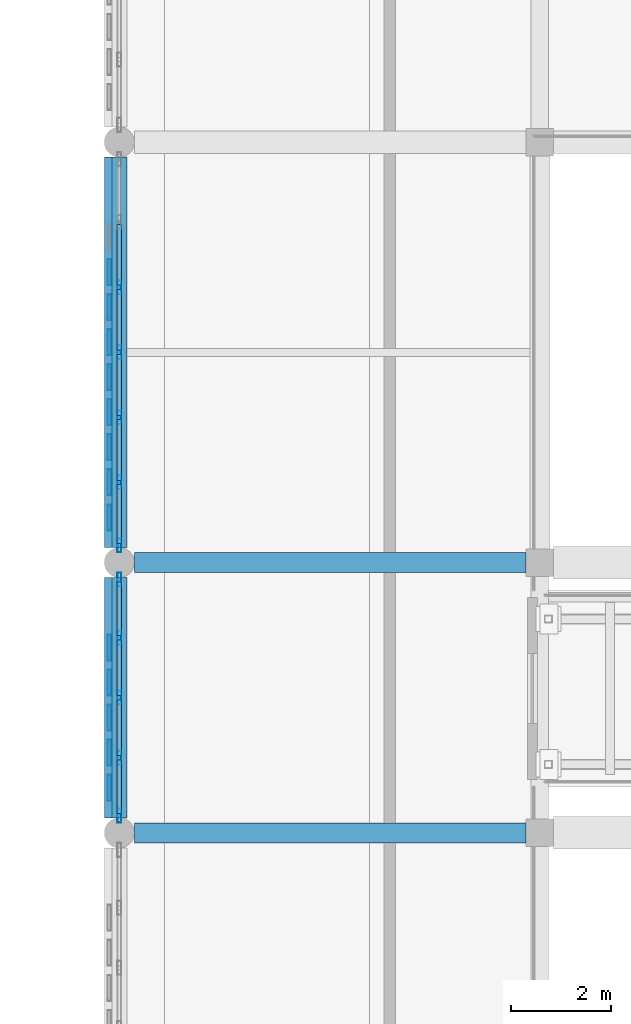
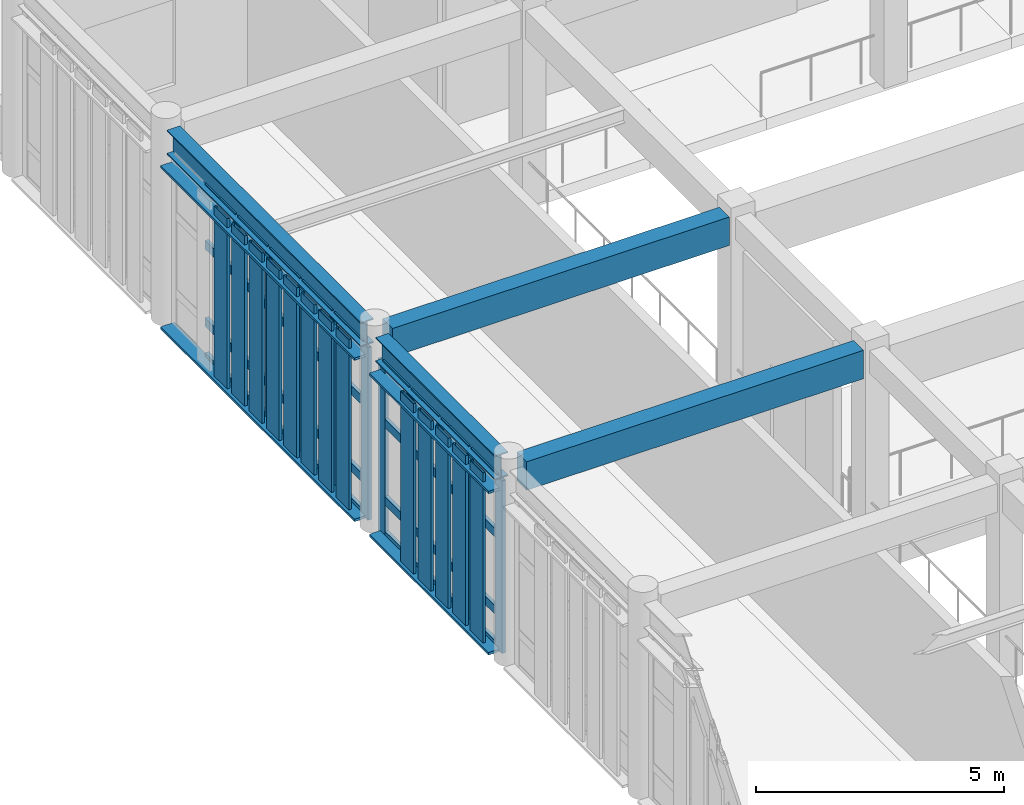
# One storey, part 25 of 77: 63 members, 4 beams, 2 elements without a shape of their own.
"""IFC4 building model written with IfcOpenShell, lengths in metres."""

from ifc_helpers import new_model, si_unit, direction, frame, origin, origin_2d, place, context, subcontext, project, spatial, rectangle, hollow_rectangle, i_section, extrude, material, layer, layer_set, material_profile, profile_set, type_object, element, aggregate, save


model = new_model("IFC4")

# Units and contexts
model_context = context("Model", 3, precision=1e-05, world=origin(), true_north=direction((0.0, 1.0)))
body_context = subcontext(model_context, "Body", "Model", "MODEL_VIEW")
ifc_project = project(units=[si_unit("LENGTHUNIT", "METRE"), si_unit("AREAUNIT", "SQUARE_METRE"), si_unit("VOLUMEUNIT", "CUBIC_METRE"), si_unit("PLANEANGLEUNIT", "RADIAN"), si_unit("MASSUNIT", "GRAM", prefix="KILO")], contexts=[model_context])

# Site, building, storey
site_placement = place(None, origin())
site = spatial("IfcSite", under=ifc_project, at=site_placement, CompositionType="ELEMENT")
building_placement = place(site_placement, origin())
building = spatial("IfcBuilding", under=site, at=building_placement, Name="Krzemoval Escarpment Law Courts", CompositionType="ELEMENT")
storey_placement = place(building_placement, frame((0.0, 0.0, 15.300048828125)))
storey = spatial("IfcBuildingStorey", under=building, at=storey_placement, Name="L03", CompositionType="ELEMENT", Elevation=15.300048828125)

# Beams
ifc_material_1 = material(Name="Concrete C40/50", Category="concrete")
ifc_material_profile_1 = material_profile(ifc_material_1, rectangle(XDim=0.39990234375, YDim=0.699951171875, at=origin_2d()), Name="RCB 400x700")
ifc_profile_set_1 = profile_set([ifc_material_profile_1], Name="Concrete C40/50")
beam_type_1 = type_object("IfcBeamType", Name="BM-RC-400x700", PredefinedType="BEAM", material=ifc_profile_set_1)
for number, where, z_axis, x_axis, name in (
    (1, (8.699951171875, 79.800048828125, 4.489990234375), (1.0, 0.0, 0.0), (0.0, 1.0, 0.0), "Beam FG-L03-2168"),
    (2, (8.699951171875, 85.199951171875, 4.489990234375), (1.0, 0.0, 0.0), (0.0, 1.0, 0.0), "Beam FG-L03-2173"),
):
    element("IfcBeam", number, at=place(storey_placement, frame(where, z_axis=z_axis, x_axis=x_axis)), inside=storey, type_object=beam_type_1, Name=name, PredefinedType="BEAM", context=body_context, shape_type="SweptSolid", body=[
        extrude(rectangle(XDim=0.39990234375, YDim=0.699951171875, at=origin_2d()), origin(), (0.0, 0.0, 1.0), 7.824951171875),
    ])

# Curtain wall, members
ifc_material_2 = material(Name="Aluminium 6063-T6", Category="aluminium")
ifc_layer = layer(ifc_material_2, 0.280029296875)
ifc_layer_set = layer_set([ifc_layer], Name="Aluminium 6063-T6")
curtain_wall_type = type_object("IfcCurtainWallType", Name="CW-HALL-5100", PredefinedType="USERDEFINED", material=ifc_layer_set)
curtain_wall_1_placement = place(storey_placement, origin())
curtain_wall_1 = element("IfcCurtainWall", 3, at=curtain_wall_1_placement, inside=storey, type_object=curtain_wall_type, Name="Unitised Curtain Wall FCW-L03-102", ObjectType="UNITISED_CURTAIN_WALL", PredefinedType="USERDEFINED")
ifc_material_3 = material(Name="Aluminium 6063-T6", Category="aluminium")
ifc_material_profile_2 = material_profile(ifc_material_3, hollow_rectangle(XDim=0.0849609375, YDim=0.280029296875, WallThickness=0.005615234375, at=origin_2d()), Name="ALU M85x280")
ifc_profile_set_2 = profile_set([ifc_material_profile_2], Name="Aluminium 6063-T6")
member_type_1 = type_object("IfcMemberType", Name="CWM-85x280", PredefinedType="MULLION", material=ifc_profile_set_2)
member_1_placement = place(storey_placement, frame((8.39990234375, 80.142578125, 0.0), z_axis=(0.0, 0.0, 1.0), x_axis=(-1.0, 0.0, 0.0)))
member_1 = element("IfcMember", 4, at=member_1_placement, type_object=member_type_1, Name="FCW-L03-102 mullion 1", PredefinedType="MULLION", context=body_context, shape_type="SweptSolid", body=[
    extrude(hollow_rectangle(XDim=0.0849609375, YDim=0.280029296875, WallThickness=0.005615234375, at=origin_2d()), origin(), (0.0, 0.0, 1.0), 4.239990234375),
])
member_2_placement = place(storey_placement, frame((8.39990234375, 81.300048828125, 0.0), z_axis=(0.0, 0.0, 1.0), x_axis=(-1.0, 0.0, 0.0)))
member_2 = element("IfcMember", 5, at=member_2_placement, type_object=member_type_1, Name="FCW-L03-102 mullion 2", PredefinedType="MULLION", context=body_context, shape_type="SweptSolid", body=[
    extrude(hollow_rectangle(XDim=0.0849609375, YDim=0.280029296875, WallThickness=0.005615234375, at=origin_2d()), origin(), (0.0, 0.0, 1.0), 4.239990234375),
])
member_3_placement = place(storey_placement, frame((8.39990234375, 82.5, 0.0), z_axis=(0.0, 0.0, 1.0), x_axis=(-1.0, 0.0, 0.0)))
member_3 = element("IfcMember", 6, at=member_3_placement, type_object=member_type_1, Name="FCW-L03-102 mullion 3", PredefinedType="MULLION", context=body_context, shape_type="SweptSolid", body=[
    extrude(hollow_rectangle(XDim=0.0849609375, YDim=0.280029296875, WallThickness=0.005615234375, at=origin_2d()), origin(), (0.0, 0.0, 1.0), 4.239990234375),
])
member_4_placement = place(storey_placement, frame((8.39990234375, 83.699951171875, 0.0), z_axis=(0.0, 0.0, 1.0), x_axis=(-1.0, 0.0, 0.0)))
member_4 = element("IfcMember", 7, at=member_4_placement, type_object=member_type_1, Name="FCW-L03-102 mullion 4", PredefinedType="MULLION", context=body_context, shape_type="SweptSolid", body=[
    extrude(hollow_rectangle(XDim=0.0849609375, YDim=0.280029296875, WallThickness=0.005615234375, at=origin_2d()), origin(), (0.0, 0.0, 1.0), 4.239990234375),
])
member_5_placement = place(storey_placement, frame((8.39990234375, 84.857421875, 0.0), z_axis=(0.0, 0.0, 1.0), x_axis=(-1.0, 0.0, 0.0)))
member_5 = element("IfcMember", 8, at=member_5_placement, type_object=member_type_1, Name="FCW-L03-102 mullion 5", PredefinedType="MULLION", context=body_context, shape_type="SweptSolid", body=[
    extrude(hollow_rectangle(XDim=0.0849609375, YDim=0.280029296875, WallThickness=0.005615234375, at=origin_2d()), origin(), (0.0, 0.0, 1.0), 4.239990234375),
])

curtain_wall_2_placement = place(storey_placement, origin())
curtain_wall_2 = element("IfcCurtainWall", 9, at=curtain_wall_2_placement, inside=storey, type_object=curtain_wall_type, Name="Unitised Curtain Wall FCW-L03-103", ObjectType="UNITISED_CURTAIN_WALL", PredefinedType="USERDEFINED")
member_6_placement = place(storey_placement, frame((8.39990234375, 85.54248046875, 0.0), z_axis=(0.0, 0.0, 1.0), x_axis=(-1.0, 0.0, 0.0)))
member_6 = element("IfcMember", 10, at=member_6_placement, type_object=member_type_1, Name="FCW-L03-103 mullion 1", PredefinedType="MULLION", context=body_context, shape_type="SweptSolid", body=[
    extrude(hollow_rectangle(XDim=0.0849609375, YDim=0.280029296875, WallThickness=0.005615234375, at=origin_2d()), origin(), (0.0, 0.0, 1.0), 4.239990234375),
])
member_7_placement = place(storey_placement, frame((8.39990234375, 86.800048828125, 0.0), z_axis=(0.0, 0.0, 1.0), x_axis=(-1.0, 0.0, 0.0)))
member_7 = element("IfcMember", 11, at=member_7_placement, type_object=member_type_1, Name="FCW-L03-103 mullion 2", PredefinedType="MULLION", context=body_context, shape_type="SweptSolid", body=[
    extrude(hollow_rectangle(XDim=0.0849609375, YDim=0.280029296875, WallThickness=0.005615234375, at=origin_2d()), origin(), (0.0, 0.0, 1.0), 4.239990234375),
])
member_8_placement = place(storey_placement, frame((8.39990234375, 88.10009765625, 0.0), z_axis=(0.0, 0.0, 1.0), x_axis=(-1.0, 0.0, 0.0)))
member_8 = element("IfcMember", 12, at=member_8_placement, type_object=member_type_1, Name="FCW-L03-103 mullion 3", PredefinedType="MULLION", context=body_context, shape_type="SweptSolid", body=[
    extrude(hollow_rectangle(XDim=0.0849609375, YDim=0.280029296875, WallThickness=0.005615234375, at=origin_2d()), origin(), (0.0, 0.0, 1.0), 4.239990234375),
])
member_9_placement = place(storey_placement, frame((8.39990234375, 89.39990234375, 0.0), z_axis=(0.0, 0.0, 1.0), x_axis=(-1.0, 0.0, 0.0)))
member_9 = element("IfcMember", 13, at=member_9_placement, type_object=member_type_1, Name="FCW-L03-103 mullion 4", PredefinedType="MULLION", context=body_context, shape_type="SweptSolid", body=[
    extrude(hollow_rectangle(XDim=0.0849609375, YDim=0.280029296875, WallThickness=0.005615234375, at=origin_2d()), origin(), (0.0, 0.0, 1.0), 4.239990234375),
])
member_10_placement = place(storey_placement, frame((8.39990234375, 90.699951171875, 0.0), z_axis=(0.0, 0.0, 1.0), x_axis=(-1.0, 0.0, 0.0)))
member_10 = element("IfcMember", 14, at=member_10_placement, type_object=member_type_1, Name="FCW-L03-103 mullion 5", PredefinedType="MULLION", context=body_context, shape_type="SweptSolid", body=[
    extrude(hollow_rectangle(XDim=0.0849609375, YDim=0.280029296875, WallThickness=0.005615234375, at=origin_2d()), origin(), (0.0, 0.0, 1.0), 4.239990234375),
])

# Member
ifc_material_4 = material(Name="Aluminium 6063-T6", Category="aluminium")
ifc_material_profile_3 = material_profile(ifc_material_4, hollow_rectangle(XDim=0.0849609375, YDim=0.2099609375, WallThickness=0.005615234375, at=origin_2d()), Name="ALU T85x210")
ifc_profile_set_3 = profile_set([ifc_material_profile_3], Name="Aluminium 6063-T6")
member_type_2 = type_object("IfcMemberType", Name="CWT-85x210", PredefinedType="USERDEFINED", material=ifc_profile_set_3)
member_11_placement = place(storey_placement, frame((8.39990234375, 80.18505859375, 0.04248046875), z_axis=(0.0, 1.0, 0.0), x_axis=(-1.0, 0.0, 0.0)))
member_11 = element("IfcMember", 15, at=member_11_placement, type_object=member_type_2, Name="FCW-L03-102 transom 1.1", ObjectType="TRANSOM", PredefinedType="USERDEFINED", context=body_context, shape_type="SweptSolid", body=[
    extrude(hollow_rectangle(XDim=0.0849609375, YDim=0.2099609375, WallThickness=0.005615234375, at=origin_2d()), origin(), (0.0, 0.0, 1.0), 1.072509765625),
])

member_12_placement = place(storey_placement, frame((8.39990234375, 80.18505859375, 0.89990234375), z_axis=(0.0, 1.0, 0.0), x_axis=(-1.0, 0.0, 0.0)))
member_12 = element("IfcMember", 16, at=member_12_placement, type_object=member_type_2, Name="FCW-L03-102 transom 1.2", ObjectType="TRANSOM", PredefinedType="USERDEFINED", context=body_context, shape_type="SweptSolid", body=[
    extrude(hollow_rectangle(XDim=0.0849609375, YDim=0.2099609375, WallThickness=0.005615234375, at=origin_2d()), origin(), (0.0, 0.0, 1.0), 1.072509765625),
])

member_13_placement = place(storey_placement, frame((8.39990234375, 80.18505859375, 2.800048828125), z_axis=(0.0, 1.0, 0.0), x_axis=(-1.0, 0.0, 0.0)))
member_13 = element("IfcMember", 17, at=member_13_placement, type_object=member_type_2, Name="FCW-L03-102 transom 1.3", ObjectType="TRANSOM", PredefinedType="USERDEFINED", context=body_context, shape_type="SweptSolid", body=[
    extrude(hollow_rectangle(XDim=0.0849609375, YDim=0.2099609375, WallThickness=0.005615234375, at=origin_2d()), origin(), (0.0, 0.0, 1.0), 1.072509765625),
])

member_14_placement = place(storey_placement, frame((8.39990234375, 80.18505859375, 4.197509765625), z_axis=(0.0, 1.0, 0.0), x_axis=(-1.0, 0.0, 0.0)))
member_14 = element("IfcMember", 18, at=member_14_placement, type_object=member_type_2, Name="FCW-L03-102 transom 1.4", ObjectType="TRANSOM", PredefinedType="USERDEFINED", context=body_context, shape_type="SweptSolid", body=[
    extrude(hollow_rectangle(XDim=0.0849609375, YDim=0.2099609375, WallThickness=0.005615234375, at=origin_2d()), origin(), (0.0, 0.0, 1.0), 1.072509765625),
])

member_15_placement = place(storey_placement, frame((8.39990234375, 81.342529296875, 0.04248046875), z_axis=(0.0, 1.0, 0.0), x_axis=(-1.0, 0.0, 0.0)))
member_15 = element("IfcMember", 19, at=member_15_placement, type_object=member_type_2, Name="FCW-L03-102 transom 2.1", ObjectType="TRANSOM", PredefinedType="USERDEFINED", context=body_context, shape_type="SweptSolid", body=[
    extrude(hollow_rectangle(XDim=0.0849609375, YDim=0.2099609375, WallThickness=0.005615234375, at=origin_2d()), origin(), (0.0, 0.0, 1.0), 1.114990234375),
])

member_16_placement = place(storey_placement, frame((8.39990234375, 81.342529296875, 0.89990234375), z_axis=(0.0, 1.0, 0.0), x_axis=(-1.0, 0.0, 0.0)))
member_16 = element("IfcMember", 20, at=member_16_placement, type_object=member_type_2, Name="FCW-L03-102 transom 2.2", ObjectType="TRANSOM", PredefinedType="USERDEFINED", context=body_context, shape_type="SweptSolid", body=[
    extrude(hollow_rectangle(XDim=0.0849609375, YDim=0.2099609375, WallThickness=0.005615234375, at=origin_2d()), origin(), (0.0, 0.0, 1.0), 1.114990234375),
])

member_17_placement = place(storey_placement, frame((8.39990234375, 81.342529296875, 2.800048828125), z_axis=(0.0, 1.0, 0.0), x_axis=(-1.0, 0.0, 0.0)))
member_17 = element("IfcMember", 21, at=member_17_placement, type_object=member_type_2, Name="FCW-L03-102 transom 2.3", ObjectType="TRANSOM", PredefinedType="USERDEFINED", context=body_context, shape_type="SweptSolid", body=[
    extrude(hollow_rectangle(XDim=0.0849609375, YDim=0.2099609375, WallThickness=0.005615234375, at=origin_2d()), origin(), (0.0, 0.0, 1.0), 1.114990234375),
])

member_18_placement = place(storey_placement, frame((8.39990234375, 81.342529296875, 4.197509765625), z_axis=(0.0, 1.0, 0.0), x_axis=(-1.0, 0.0, 0.0)))
member_18 = element("IfcMember", 22, at=member_18_placement, type_object=member_type_2, Name="FCW-L03-102 transom 2.4", ObjectType="TRANSOM", PredefinedType="USERDEFINED", context=body_context, shape_type="SweptSolid", body=[
    extrude(hollow_rectangle(XDim=0.0849609375, YDim=0.2099609375, WallThickness=0.005615234375, at=origin_2d()), origin(), (0.0, 0.0, 1.0), 1.114990234375),
])

member_19_placement = place(storey_placement, frame((8.39990234375, 82.54248046875, 0.04248046875), z_axis=(0.0, 1.0, 0.0), x_axis=(-1.0, 0.0, 0.0)))
member_19 = element("IfcMember", 23, at=member_19_placement, type_object=member_type_2, Name="FCW-L03-102 transom 3.1", ObjectType="TRANSOM", PredefinedType="USERDEFINED", context=body_context, shape_type="SweptSolid", body=[
    extrude(hollow_rectangle(XDim=0.0849609375, YDim=0.2099609375, WallThickness=0.005615234375, at=origin_2d()), origin(), (0.0, 0.0, 1.0), 1.114990234375),
])

member_20_placement = place(storey_placement, frame((8.39990234375, 82.54248046875, 0.89990234375), z_axis=(0.0, 1.0, 0.0), x_axis=(-1.0, 0.0, 0.0)))
member_20 = element("IfcMember", 24, at=member_20_placement, type_object=member_type_2, Name="FCW-L03-102 transom 3.2", ObjectType="TRANSOM", PredefinedType="USERDEFINED", context=body_context, shape_type="SweptSolid", body=[
    extrude(hollow_rectangle(XDim=0.0849609375, YDim=0.2099609375, WallThickness=0.005615234375, at=origin_2d()), origin(), (0.0, 0.0, 1.0), 1.114990234375),
])

member_21_placement = place(storey_placement, frame((8.39990234375, 82.54248046875, 2.800048828125), z_axis=(0.0, 1.0, 0.0), x_axis=(-1.0, 0.0, 0.0)))
member_21 = element("IfcMember", 25, at=member_21_placement, type_object=member_type_2, Name="FCW-L03-102 transom 3.3", ObjectType="TRANSOM", PredefinedType="USERDEFINED", context=body_context, shape_type="SweptSolid", body=[
    extrude(hollow_rectangle(XDim=0.0849609375, YDim=0.2099609375, WallThickness=0.005615234375, at=origin_2d()), origin(), (0.0, 0.0, 1.0), 1.114990234375),
])

member_22_placement = place(storey_placement, frame((8.39990234375, 82.54248046875, 4.197509765625), z_axis=(0.0, 1.0, 0.0), x_axis=(-1.0, 0.0, 0.0)))
member_22 = element("IfcMember", 26, at=member_22_placement, type_object=member_type_2, Name="FCW-L03-102 transom 3.4", ObjectType="TRANSOM", PredefinedType="USERDEFINED", context=body_context, shape_type="SweptSolid", body=[
    extrude(hollow_rectangle(XDim=0.0849609375, YDim=0.2099609375, WallThickness=0.005615234375, at=origin_2d()), origin(), (0.0, 0.0, 1.0), 1.114990234375),
])

member_23_placement = place(storey_placement, frame((8.39990234375, 83.742431640625, 0.04248046875), z_axis=(0.0, 1.0, 0.0), x_axis=(-1.0, 0.0, 0.0)))
member_23 = element("IfcMember", 27, at=member_23_placement, type_object=member_type_2, Name="FCW-L03-102 transom 4.1", ObjectType="TRANSOM", PredefinedType="USERDEFINED", context=body_context, shape_type="SweptSolid", body=[
    extrude(hollow_rectangle(XDim=0.0849609375, YDim=0.2099609375, WallThickness=0.005615234375, at=origin_2d()), origin(), (0.0, 0.0, 1.0), 1.072509765625),
])

member_24_placement = place(storey_placement, frame((8.39990234375, 83.742431640625, 0.89990234375), z_axis=(0.0, 1.0, 0.0), x_axis=(-1.0, 0.0, 0.0)))
member_24 = element("IfcMember", 28, at=member_24_placement, type_object=member_type_2, Name="FCW-L03-102 transom 4.2", ObjectType="TRANSOM", PredefinedType="USERDEFINED", context=body_context, shape_type="SweptSolid", body=[
    extrude(hollow_rectangle(XDim=0.0849609375, YDim=0.2099609375, WallThickness=0.005615234375, at=origin_2d()), origin(), (0.0, 0.0, 1.0), 1.072509765625),
])

member_25_placement = place(storey_placement, frame((8.39990234375, 83.742431640625, 2.800048828125), z_axis=(0.0, 1.0, 0.0), x_axis=(-1.0, 0.0, 0.0)))
member_25 = element("IfcMember", 29, at=member_25_placement, type_object=member_type_2, Name="FCW-L03-102 transom 4.3", ObjectType="TRANSOM", PredefinedType="USERDEFINED", context=body_context, shape_type="SweptSolid", body=[
    extrude(hollow_rectangle(XDim=0.0849609375, YDim=0.2099609375, WallThickness=0.005615234375, at=origin_2d()), origin(), (0.0, 0.0, 1.0), 1.072509765625),
])

member_26_placement = place(storey_placement, frame((8.39990234375, 83.742431640625, 4.197509765625), z_axis=(0.0, 1.0, 0.0), x_axis=(-1.0, 0.0, 0.0)))
member_26 = element("IfcMember", 30, at=member_26_placement, type_object=member_type_2, Name="FCW-L03-102 transom 4.4", ObjectType="TRANSOM", PredefinedType="USERDEFINED", context=body_context, shape_type="SweptSolid", body=[
    extrude(hollow_rectangle(XDim=0.0849609375, YDim=0.2099609375, WallThickness=0.005615234375, at=origin_2d()), origin(), (0.0, 0.0, 1.0), 1.072509765625),
])

aggregate(curtain_wall_1, [member_1, member_2, member_3, member_4, member_5, member_11, member_12, member_13, member_14, member_15, member_16, member_17, member_18, member_19, member_20, member_21, member_22, member_23, member_24, member_25, member_26])

member_27_placement = place(storey_placement, frame((8.39990234375, 85.5849609375, 0.04248046875), z_axis=(0.0, 1.0, 0.0), x_axis=(-1.0, 0.0, 0.0)))
member_27 = element("IfcMember", 31, at=member_27_placement, type_object=member_type_2, Name="FCW-L03-103 transom 1.1", ObjectType="TRANSOM", PredefinedType="USERDEFINED", context=body_context, shape_type="SweptSolid", body=[
    extrude(hollow_rectangle(XDim=0.0849609375, YDim=0.2099609375, WallThickness=0.005615234375, at=origin_2d()), origin(), (0.0, 0.0, 1.0), 1.172607421875),
])

member_28_placement = place(storey_placement, frame((8.39990234375, 85.5849609375, 0.89990234375), z_axis=(0.0, 1.0, 0.0), x_axis=(-1.0, 0.0, 0.0)))
member_28 = element("IfcMember", 32, at=member_28_placement, type_object=member_type_2, Name="FCW-L03-103 transom 1.2", ObjectType="TRANSOM", PredefinedType="USERDEFINED", context=body_context, shape_type="SweptSolid", body=[
    extrude(hollow_rectangle(XDim=0.0849609375, YDim=0.2099609375, WallThickness=0.005615234375, at=origin_2d()), origin(), (0.0, 0.0, 1.0), 1.172607421875),
])

member_29_placement = place(storey_placement, frame((8.39990234375, 85.5849609375, 2.800048828125), z_axis=(0.0, 1.0, 0.0), x_axis=(-1.0, 0.0, 0.0)))
member_29 = element("IfcMember", 33, at=member_29_placement, type_object=member_type_2, Name="FCW-L03-103 transom 1.3", ObjectType="TRANSOM", PredefinedType="USERDEFINED", context=body_context, shape_type="SweptSolid", body=[
    extrude(hollow_rectangle(XDim=0.0849609375, YDim=0.2099609375, WallThickness=0.005615234375, at=origin_2d()), origin(), (0.0, 0.0, 1.0), 1.172607421875),
])

member_30_placement = place(storey_placement, frame((8.39990234375, 85.5849609375, 4.197509765625), z_axis=(0.0, 1.0, 0.0), x_axis=(-1.0, 0.0, 0.0)))
member_30 = element("IfcMember", 34, at=member_30_placement, type_object=member_type_2, Name="FCW-L03-103 transom 1.4", ObjectType="TRANSOM", PredefinedType="USERDEFINED", context=body_context, shape_type="SweptSolid", body=[
    extrude(hollow_rectangle(XDim=0.0849609375, YDim=0.2099609375, WallThickness=0.005615234375, at=origin_2d()), origin(), (0.0, 0.0, 1.0), 1.172607421875),
])

member_31_placement = place(storey_placement, frame((8.39990234375, 86.842529296875, 0.04248046875), z_axis=(0.0, 1.0, 0.0), x_axis=(-1.0, 0.0, 0.0)))
member_31 = element("IfcMember", 35, at=member_31_placement, type_object=member_type_2, Name="FCW-L03-103 transom 2.1", ObjectType="TRANSOM", PredefinedType="USERDEFINED", context=body_context, shape_type="SweptSolid", body=[
    extrude(hollow_rectangle(XDim=0.0849609375, YDim=0.2099609375, WallThickness=0.005615234375, at=origin_2d()), origin(), (0.0, 0.0, 1.0), 1.215087890625),
])

member_32_placement = place(storey_placement, frame((8.39990234375, 86.842529296875, 0.89990234375), z_axis=(0.0, 1.0, 0.0), x_axis=(-1.0, 0.0, 0.0)))
member_32 = element("IfcMember", 36, at=member_32_placement, type_object=member_type_2, Name="FCW-L03-103 transom 2.2", ObjectType="TRANSOM", PredefinedType="USERDEFINED", context=body_context, shape_type="SweptSolid", body=[
    extrude(hollow_rectangle(XDim=0.0849609375, YDim=0.2099609375, WallThickness=0.005615234375, at=origin_2d()), origin(), (0.0, 0.0, 1.0), 1.215087890625),
])

member_33_placement = place(storey_placement, frame((8.39990234375, 86.842529296875, 2.800048828125), z_axis=(0.0, 1.0, 0.0), x_axis=(-1.0, 0.0, 0.0)))
member_33 = element("IfcMember", 37, at=member_33_placement, type_object=member_type_2, Name="FCW-L03-103 transom 2.3", ObjectType="TRANSOM", PredefinedType="USERDEFINED", context=body_context, shape_type="SweptSolid", body=[
    extrude(hollow_rectangle(XDim=0.0849609375, YDim=0.2099609375, WallThickness=0.005615234375, at=origin_2d()), origin(), (0.0, 0.0, 1.0), 1.215087890625),
])

member_34_placement = place(storey_placement, frame((8.39990234375, 86.842529296875, 4.197509765625), z_axis=(0.0, 1.0, 0.0), x_axis=(-1.0, 0.0, 0.0)))
member_34 = element("IfcMember", 38, at=member_34_placement, type_object=member_type_2, Name="FCW-L03-103 transom 2.4", ObjectType="TRANSOM", PredefinedType="USERDEFINED", context=body_context, shape_type="SweptSolid", body=[
    extrude(hollow_rectangle(XDim=0.0849609375, YDim=0.2099609375, WallThickness=0.005615234375, at=origin_2d()), origin(), (0.0, 0.0, 1.0), 1.215087890625),
])

member_35_placement = place(storey_placement, frame((8.39990234375, 88.142578125, 0.04248046875), z_axis=(0.0, 1.0, 0.0), x_axis=(-1.0, 0.0, 0.0)))
member_35 = element("IfcMember", 39, at=member_35_placement, type_object=member_type_2, Name="FCW-L03-103 transom 3.1", ObjectType="TRANSOM", PredefinedType="USERDEFINED", context=body_context, shape_type="SweptSolid", body=[
    extrude(hollow_rectangle(XDim=0.0849609375, YDim=0.2099609375, WallThickness=0.005615234375, at=origin_2d()), origin(), (0.0, 0.0, 1.0), 1.21484375),
])

member_36_placement = place(storey_placement, frame((8.39990234375, 88.142578125, 0.89990234375), z_axis=(0.0, 1.0, 0.0), x_axis=(-1.0, 0.0, 0.0)))
member_36 = element("IfcMember", 40, at=member_36_placement, type_object=member_type_2, Name="FCW-L03-103 transom 3.2", ObjectType="TRANSOM", PredefinedType="USERDEFINED", context=body_context, shape_type="SweptSolid", body=[
    extrude(hollow_rectangle(XDim=0.0849609375, YDim=0.2099609375, WallThickness=0.005615234375, at=origin_2d()), origin(), (0.0, 0.0, 1.0), 1.21484375),
])

member_37_placement = place(storey_placement, frame((8.39990234375, 88.142578125, 2.800048828125), z_axis=(0.0, 1.0, 0.0), x_axis=(-1.0, 0.0, 0.0)))
member_37 = element("IfcMember", 41, at=member_37_placement, type_object=member_type_2, Name="FCW-L03-103 transom 3.3", ObjectType="TRANSOM", PredefinedType="USERDEFINED", context=body_context, shape_type="SweptSolid", body=[
    extrude(hollow_rectangle(XDim=0.0849609375, YDim=0.2099609375, WallThickness=0.005615234375, at=origin_2d()), origin(), (0.0, 0.0, 1.0), 1.21484375),
])

member_38_placement = place(storey_placement, frame((8.39990234375, 88.142578125, 4.197509765625), z_axis=(0.0, 1.0, 0.0), x_axis=(-1.0, 0.0, 0.0)))
member_38 = element("IfcMember", 42, at=member_38_placement, type_object=member_type_2, Name="FCW-L03-103 transom 3.4", ObjectType="TRANSOM", PredefinedType="USERDEFINED", context=body_context, shape_type="SweptSolid", body=[
    extrude(hollow_rectangle(XDim=0.0849609375, YDim=0.2099609375, WallThickness=0.005615234375, at=origin_2d()), origin(), (0.0, 0.0, 1.0), 1.21484375),
])

member_39_placement = place(storey_placement, frame((8.39990234375, 89.4423828125, 0.04248046875), z_axis=(0.0, 1.0, 0.0), x_axis=(-1.0, 0.0, 0.0)))
member_39 = element("IfcMember", 43, at=member_39_placement, type_object=member_type_2, Name="FCW-L03-103 transom 4.1", ObjectType="TRANSOM", PredefinedType="USERDEFINED", context=body_context, shape_type="SweptSolid", body=[
    extrude(hollow_rectangle(XDim=0.0849609375, YDim=0.2099609375, WallThickness=0.005615234375, at=origin_2d()), origin(), (0.0, 0.0, 1.0), 1.215087890625),
])

member_40_placement = place(storey_placement, frame((8.39990234375, 89.4423828125, 0.89990234375), z_axis=(0.0, 1.0, 0.0), x_axis=(-1.0, 0.0, 0.0)))
member_40 = element("IfcMember", 44, at=member_40_placement, type_object=member_type_2, Name="FCW-L03-103 transom 4.2", ObjectType="TRANSOM", PredefinedType="USERDEFINED", context=body_context, shape_type="SweptSolid", body=[
    extrude(hollow_rectangle(XDim=0.0849609375, YDim=0.2099609375, WallThickness=0.005615234375, at=origin_2d()), origin(), (0.0, 0.0, 1.0), 1.215087890625),
])

member_41_placement = place(storey_placement, frame((8.39990234375, 89.4423828125, 2.800048828125), z_axis=(0.0, 1.0, 0.0), x_axis=(-1.0, 0.0, 0.0)))
member_41 = element("IfcMember", 45, at=member_41_placement, type_object=member_type_2, Name="FCW-L03-103 transom 4.3", ObjectType="TRANSOM", PredefinedType="USERDEFINED", context=body_context, shape_type="SweptSolid", body=[
    extrude(hollow_rectangle(XDim=0.0849609375, YDim=0.2099609375, WallThickness=0.005615234375, at=origin_2d()), origin(), (0.0, 0.0, 1.0), 1.215087890625),
])

member_42_placement = place(storey_placement, frame((8.39990234375, 89.4423828125, 4.197509765625), z_axis=(0.0, 1.0, 0.0), x_axis=(-1.0, 0.0, 0.0)))
member_42 = element("IfcMember", 46, at=member_42_placement, type_object=member_type_2, Name="FCW-L03-103 transom 4.4", ObjectType="TRANSOM", PredefinedType="USERDEFINED", context=body_context, shape_type="SweptSolid", body=[
    extrude(hollow_rectangle(XDim=0.0849609375, YDim=0.2099609375, WallThickness=0.005615234375, at=origin_2d()), origin(), (0.0, 0.0, 1.0), 1.215087890625),
])

member_43_placement = place(storey_placement, frame((8.39990234375, 90.742431640625, 0.04248046875), z_axis=(0.0, 1.0, 0.0), x_axis=(-1.0, 0.0, 0.0)))
member_43 = element("IfcMember", 47, at=member_43_placement, type_object=member_type_2, Name="FCW-L03-103 transom 5.1", ObjectType="TRANSOM", PredefinedType="USERDEFINED", context=body_context, shape_type="SweptSolid", body=[
    extrude(hollow_rectangle(XDim=0.0849609375, YDim=0.2099609375, WallThickness=0.005615234375, at=origin_2d()), origin(), (0.0, 0.0, 1.0), 1.215087890625),
])

member_44_placement = place(storey_placement, frame((8.39990234375, 90.742431640625, 0.89990234375), z_axis=(0.0, 1.0, 0.0), x_axis=(-1.0, 0.0, 0.0)))
member_44 = element("IfcMember", 48, at=member_44_placement, type_object=member_type_2, Name="FCW-L03-103 transom 5.2", ObjectType="TRANSOM", PredefinedType="USERDEFINED", context=body_context, shape_type="SweptSolid", body=[
    extrude(hollow_rectangle(XDim=0.0849609375, YDim=0.2099609375, WallThickness=0.005615234375, at=origin_2d()), origin(), (0.0, 0.0, 1.0), 1.215087890625),
])

member_45_placement = place(storey_placement, frame((8.39990234375, 90.742431640625, 2.800048828125), z_axis=(0.0, 1.0, 0.0), x_axis=(-1.0, 0.0, 0.0)))
member_45 = element("IfcMember", 49, at=member_45_placement, type_object=member_type_2, Name="FCW-L03-103 transom 5.3", ObjectType="TRANSOM", PredefinedType="USERDEFINED", context=body_context, shape_type="SweptSolid", body=[
    extrude(hollow_rectangle(XDim=0.0849609375, YDim=0.2099609375, WallThickness=0.005615234375, at=origin_2d()), origin(), (0.0, 0.0, 1.0), 1.215087890625),
])

member_46_placement = place(storey_placement, frame((8.39990234375, 90.742431640625, 4.197509765625), z_axis=(0.0, 1.0, 0.0), x_axis=(-1.0, 0.0, 0.0)))
member_46 = element("IfcMember", 50, at=member_46_placement, type_object=member_type_2, Name="FCW-L03-103 transom 5.4", ObjectType="TRANSOM", PredefinedType="USERDEFINED", context=body_context, shape_type="SweptSolid", body=[
    extrude(hollow_rectangle(XDim=0.0849609375, YDim=0.2099609375, WallThickness=0.005615234375, at=origin_2d()), origin(), (0.0, 0.0, 1.0), 1.215087890625),
])

aggregate(curtain_wall_2, [member_6, member_7, member_8, member_9, member_10, member_27, member_28, member_29, member_30, member_31, member_32, member_33, member_34, member_35, member_36, member_37, member_38, member_39, member_40, member_41, member_42, member_43, member_44, member_45, member_46])

# Members
ifc_material_5 = material(Name="Anodised Aluminium Alloy 6063-T6", Category="aluminium")
ifc_material_profile_4 = material_profile(ifc_material_5, hollow_rectangle(XDim=0.06005859375, YDim=0.320068359375, WallThickness=0.00390625, at=origin_2d()), Name="ALU LVR 60x320")
ifc_profile_set_4 = profile_set([ifc_material_profile_4], Name="Anodised Aluminium Alloy 6063-T6")
member_type_3 = type_object("IfcMemberType", Name="LVR-ALU-320", PredefinedType="USERDEFINED", material=ifc_profile_set_4)
for number, where, z_axis, x_axis, name in (
    (51, (8.260009765625, 80.10009765625, 0.030029296875), (0.0, 1.0, 0.0), (0.0, 0.0, 1.0), "Sunshade Support Rail FSR-L03-0664"),
    (52, (8.260009765625, 80.10009765625, 3.989990234375), (0.0, 1.0, 0.0), (0.0, 0.0, 1.0), "Sunshade Support Rail FSR-L03-0665"),
):
    element("IfcMember", number, at=place(storey_placement, frame(where, z_axis=z_axis, x_axis=x_axis)), inside=storey, type_object=member_type_3, Name=name, ObjectType="SUNSHADE_LOUVRE", PredefinedType="USERDEFINED", context=body_context, shape_type="SweptSolid", body=[
        extrude(hollow_rectangle(XDim=0.06005859375, YDim=0.320068359375, WallThickness=0.00390625, at=origin_2d()), origin(), (0.0, 0.0, 1.0), 4.7998046875),
    ])
for number, where, z_axis, x_axis, name in (
    (53, (8.260009765625, 85.5, 0.030029296875), (0.0, 1.0, 0.0), (0.0, 0.0, 1.0), "Sunshade Support Rail FSR-L03-0671"),
    (54, (8.260009765625, 85.5, 3.989990234375), (0.0, 1.0, 0.0), (0.0, 0.0, 1.0), "Sunshade Support Rail FSR-L03-0672"),
):
    element("IfcMember", number, at=place(storey_placement, frame(where, z_axis=z_axis, x_axis=x_axis)), inside=storey, type_object=member_type_3, Name=name, ObjectType="SUNSHADE_LOUVRE", PredefinedType="USERDEFINED", context=body_context, shape_type="SweptSolid", body=[
        extrude(hollow_rectangle(XDim=0.06005859375, YDim=0.320068359375, WallThickness=0.00390625, at=origin_2d()), origin(), (0.0, 0.0, 1.0), 7.800048828125),
    ])
ifc_material_6 = material(Name="Anodised Aluminium Alloy 6063-T6", Category="aluminium")
ifc_material_profile_5 = material_profile(ifc_material_6, hollow_rectangle(XDim=0.06494140625, YDim=0.52001953125, WallThickness=0.00439453125, at=origin_2d()), Name="ALU LVR 65x520")
ifc_profile_set_5 = profile_set([ifc_material_profile_5], Name="Anodised Aluminium Alloy 6063-T6")
member_type_4 = type_object("IfcMemberType", Name="LVR-ALU-520", PredefinedType="USERDEFINED", material=ifc_profile_set_5)
for number, where, z_axis, x_axis, name in (
    (55, (8.199951171875, 80.699951171875, 0.06005859375), (0.0, 0.0, 1.0), (1.0, 0.0, 0.0), "Sunshade Louvre Fin FLV-L03-0666"),
    (56, (8.199951171875, 81.39990234375, 0.06005859375), (0.0, 0.0, 1.0), (1.0, 0.0, 0.0), "Sunshade Louvre Fin FLV-L03-0667"),
    (57, (8.199951171875, 82.10009765625, 0.06005859375), (0.0, 0.0, 1.0), (1.0, 0.0, 0.0), "Sunshade Louvre Fin FLV-L03-0668"),
    (58, (8.199951171875, 82.800048828125, 0.06005859375), (0.0, 0.0, 1.0), (1.0, 0.0, 0.0), "Sunshade Louvre Fin FLV-L03-0669"),
    (59, (8.199951171875, 83.5, 0.06005859375), (0.0, 0.0, 1.0), (1.0, 0.0, 0.0), "Sunshade Louvre Fin FLV-L03-0670"),
    (60, (8.199951171875, 86.10009765625, 0.06005859375), (0.0, 0.0, 1.0), (1.0, 0.0, 0.0), "Sunshade Louvre Fin FLV-L03-0673"),
    (61, (8.199951171875, 86.800048828125, 0.06005859375), (0.0, 0.0, 1.0), (1.0, 0.0, 0.0), "Sunshade Louvre Fin FLV-L03-0674"),
    (62, (8.199951171875, 87.5, 0.06005859375), (0.0, 0.0, 1.0), (1.0, 0.0, 0.0), "Sunshade Louvre Fin FLV-L03-0675"),
    (63, (8.199951171875, 88.199951171875, 0.06005859375), (0.0, 0.0, 1.0), (1.0, 0.0, 0.0), "Sunshade Louvre Fin FLV-L03-0676"),
    (64, (8.199951171875, 88.89990234375, 0.06005859375), (0.0, 0.0, 1.0), (1.0, 0.0, 0.0), "Sunshade Louvre Fin FLV-L03-0677"),
    (65, (8.199951171875, 89.60009765625, 0.06005859375), (0.0, 0.0, 1.0), (1.0, 0.0, 0.0), "Sunshade Louvre Fin FLV-L03-0678"),
    (66, (8.199951171875, 90.300048828125, 0.06005859375), (0.0, 0.0, 1.0), (1.0, 0.0, 0.0), "Sunshade Louvre Fin FLV-L03-0679"),
    (67, (8.199951171875, 91.0, 0.06005859375), (0.0, 0.0, 1.0), (1.0, 0.0, 0.0), "Sunshade Louvre Fin FLV-L03-0680"),
):
    element("IfcMember", number, at=place(storey_placement, frame(where, z_axis=z_axis, x_axis=x_axis)), inside=storey, type_object=member_type_4, Name=name, ObjectType="SUNSHADE_LOUVRE", PredefinedType="USERDEFINED", context=body_context, shape_type="SweptSolid", body=[
        extrude(hollow_rectangle(XDim=0.06494140625, YDim=0.52001953125, WallThickness=0.00439453125, at=origin_2d()), origin(), (0.0, 0.0, 1.0), 4.179931640625),
    ])

# Beams
ifc_material_7 = material(Name="Steel S355", Category="steel")
ifc_material_profile_6 = material_profile(ifc_material_7, i_section(OverallWidth=0.300048828125, OverallDepth=0.60009765625, WebThickness=0.015380859375, FlangeThickness=0.030029296875, at=origin_2d()), Name="HEB 600")
ifc_profile_set_6 = profile_set([ifc_material_profile_6], Name="Steel S355")
beam_type_2 = type_object("IfcBeamType", Name="SPN-S355-HEB600", PredefinedType="SPANDREL", material=ifc_profile_set_6)
beam_1_placement = place(storey_placement, frame((8.39990234375, 80.10009765625, 4.5400390625), z_axis=(0.0, 1.0, 0.0), x_axis=(-1.0, 0.0, 0.0)))
element("IfcBeam", 68, at=beam_1_placement, inside=storey, type_object=beam_type_2, Name="Beam FG-L03-2228", PredefinedType="SPANDREL", context=body_context, shape_type="SweptSolid", body=[
    extrude(i_section(OverallWidth=0.300048828125, OverallDepth=0.60009765625, WebThickness=0.015380859375, FlangeThickness=0.030029296875, at=origin_2d()), origin(), (0.0, 0.0, 1.0), 4.7998046875),
])
beam_2_placement = place(storey_placement, frame((8.39990234375, 85.5, 4.5400390625), z_axis=(0.0, 1.0, 0.0), x_axis=(-1.0, 0.0, 0.0)))
element("IfcBeam", 69, at=beam_2_placement, inside=storey, type_object=beam_type_2, Name="Beam FG-L03-2229", PredefinedType="SPANDREL", context=body_context, shape_type="SweptSolid", body=[
    extrude(i_section(OverallWidth=0.300048828125, OverallDepth=0.60009765625, WebThickness=0.015380859375, FlangeThickness=0.030029296875, at=origin_2d()), origin(), (0.0, 0.0, 1.0), 7.800048828125),
])

save(model, "model.ifc")
